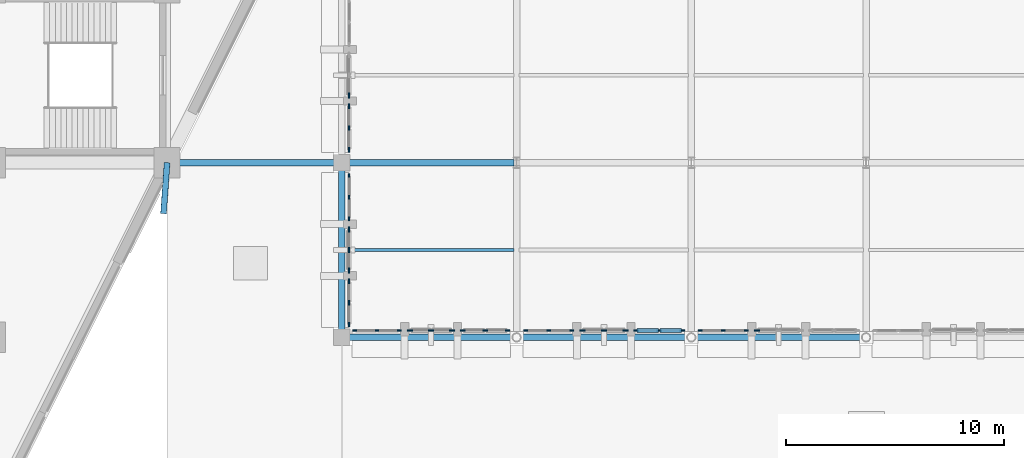
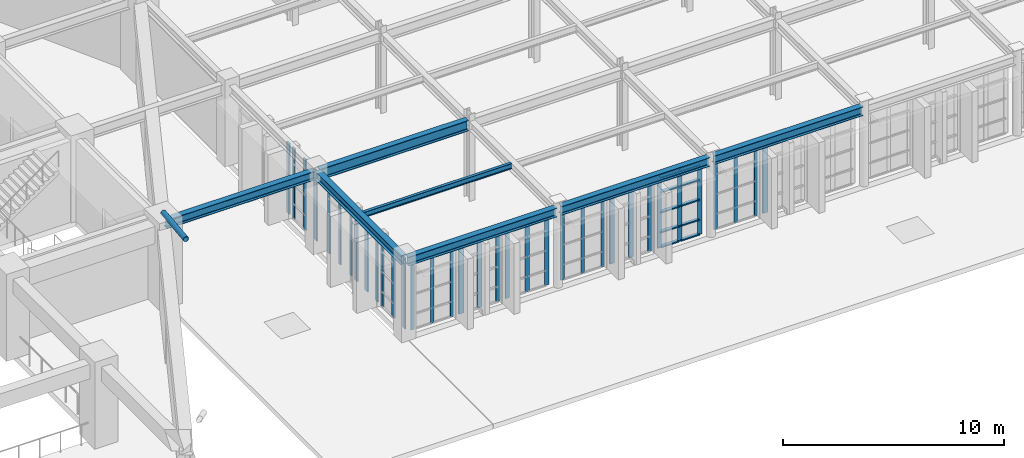
# One storey, part 34 of 155: 46 members, 7 beams, 13 elements without a shape of their own.
"""IFC4 building model written with IfcOpenShell, lengths in metres."""

from ifc_helpers import new_model, si_unit, direction, frame, origin, origin_2d, place, context, subcontext, project, spatial, rectangle, hollow_circle, i_section, extrude, material, layer, layer_set, material_profile, profile_set, type_object, element, aggregate, save


model = new_model("IFC4")

# Units and contexts
model_context = context("Model", 3, precision=1e-05, world=origin(), true_north=direction((0.0, 1.0)))
body_context = subcontext(model_context, "Body", "Model", "MODEL_VIEW")
ifc_project = project(units=[si_unit("LENGTHUNIT", "METRE"), si_unit("AREAUNIT", "SQUARE_METRE"), si_unit("VOLUMEUNIT", "CUBIC_METRE"), si_unit("PLANEANGLEUNIT", "RADIAN"), si_unit("MASSUNIT", "GRAM", prefix="KILO")], contexts=[model_context])

# Site, building, storey
site_placement = place(None, origin())
site = spatial("IfcSite", under=ifc_project, at=site_placement, CompositionType="ELEMENT")
building_placement = place(site_placement, origin())
building = spatial("IfcBuilding", under=site, at=building_placement, Name="Tazarka Park Arena", CompositionType="ELEMENT")
storey_placement = place(building_placement, frame((0.0, 0.0, 5.39990234375)))
storey = spatial("IfcBuildingStorey", under=building, at=storey_placement, Name="L01", CompositionType="ELEMENT", Elevation=5.39990234375)

# Beams
ifc_material_1 = material(Name="Steel S355", Category="steel")
ifc_material_profile_1 = material_profile(ifc_material_1, i_section(OverallWidth=0.300048828125, OverallDepth=0.590087890625, WebThickness=0.012939453125, FlangeThickness=0.02490234375, FilletRadius=0.027099609375, at=origin_2d()), Name="Steel S355")
ifc_profile_set_1 = profile_set([ifc_material_profile_1], Name="Steel S355")
beam_type_1 = type_object("IfcBeamType", Name="BM-B-07", PredefinedType="BEAM", material=ifc_profile_set_1)
beam_1_placement = place(storey_placement, frame((136.1201171875, 48.0, 4.125), z_axis=(1.0, 0.0, 0.0), x_axis=(0.0, 1.0, 0.0)))
element("IfcBeam", 1, at=beam_1_placement, inside=storey, type_object=beam_type_1, Name="GXM-L01-17-06", PredefinedType="BEAM", context=body_context, shape_type="SweptSolid", body=[
    extrude(i_section(OverallWidth=0.300048828125, OverallDepth=0.590087890625, WebThickness=0.012939453125, FlangeThickness=0.02490234375, FilletRadius=0.027099609375, at=origin_2d()), origin(), (0.0, 0.0, 1.0), 7.759765625),
])
ifc_material_2 = material(Name="Steel S355", Category="steel")
ifc_material_profile_2 = material_profile(ifc_material_2, i_section(OverallWidth=0.14990234375, OverallDepth=0.300048828125, WebThickness=0.007080078125, FlangeThickness=0.0107421875, FilletRadius=0.014892578125, at=origin_2d()), Name="Steel S355")
ifc_profile_set_2 = profile_set([ifc_material_profile_2], Name="Steel S355")
beam_type_2 = type_object("IfcBeamType", Name="BM-J-01", PredefinedType="JOIST", material=ifc_profile_set_2)
beam_2_placement = place(storey_placement, frame((136.1201171875, 44.0, 4.27001953125), z_axis=(1.0, 0.0, 0.0), x_axis=(0.0, 1.0, 0.0)))
element("IfcBeam", 2, at=beam_2_placement, inside=storey, type_object=beam_type_2, Name="JST-L01-17-05", PredefinedType="JOIST", context=body_context, shape_type="SweptSolid", body=[
    extrude(i_section(OverallWidth=0.14990234375, OverallDepth=0.300048828125, WebThickness=0.007080078125, FlangeThickness=0.0107421875, FilletRadius=0.014892578125, at=origin_2d()), origin(), (0.0, 0.0, 1.0), 7.759765625),
])
ifc_material_3 = material(Name="Steel S355", Category="steel")
ifc_material_profile_3 = material_profile(ifc_material_3, i_section(OverallWidth=0.300048828125, OverallDepth=0.489990234375, WebThickness=0.011962890625, FlangeThickness=0.02294921875, FilletRadius=0.027099609375, at=origin_2d()), Name="Steel S355")
ifc_profile_set_3 = profile_set([ifc_material_profile_3], Name="Steel S355")
beam_type_3 = type_object("IfcBeamType", Name="BM-SP-02", PredefinedType="SPANDREL", material=ifc_profile_set_3)
for number, where, z_axis, x_axis, name in (
    (3, (128.1201171875, 48.0, 4.175048828125), (1.0, 0.0, 0.0), (0.0, 1.0, 0.0), "GXM-L01-16-06"),
    (4, (136.1201171875, 40.0, 4.175048828125), (1.0, 0.0, 0.0), (0.0, 1.0, 0.0), "GXM-L01-17-05"),
    (5, (136.0, 40.1201171875, 4.175048828125), (0.0, 1.0, 0.0), (-1.0, 0.0, 0.0), "GYM-L01-17-05"),
    (6, (144.1201171875, 40.0, 4.175048828125), (1.0, 0.0, 0.0), (0.0, 1.0, 0.0), "GXM-L01-18-05"),
    (7, (152.1201171875, 40.0, 4.175048828125), (1.0, 0.0, 0.0), (0.0, 1.0, 0.0), "GXM-L01-19-05"),
):
    element("IfcBeam", number, at=place(storey_placement, frame(where, z_axis=z_axis, x_axis=x_axis)), inside=storey, type_object=beam_type_3, Name=name, PredefinedType="SPANDREL", context=body_context, shape_type="SweptSolid", body=[
        extrude(i_section(OverallWidth=0.300048828125, OverallDepth=0.489990234375, WebThickness=0.011962890625, FlangeThickness=0.02294921875, FilletRadius=0.027099609375, at=origin_2d()), origin(), (0.0, 0.0, 1.0), 7.759765625),
    ])

# Curtain wall, members
ifc_material_4 = material(Name="Aluminium and low-e glass", Category="aluminium")
ifc_layer_1 = layer(ifc_material_4, 0.179931640625, Name="Aluminium and low-e glass")
ifc_layer_set_1 = layer_set([ifc_layer_1], Name="Aluminium and low-e glass")
curtain_wall_type_1 = type_object("IfcCurtainWallType", Name="CW-15", PredefinedType="NOTDEFINED", material=ifc_layer_set_1)
curtain_wall_1_placement = place(storey_placement, origin())
curtain_wall_1 = element("IfcCurtainWall", 8, at=curtain_wall_1_placement, inside=storey, type_object=curtain_wall_type_1, Name="Curtain Wall CWA-L01-165", PredefinedType="NOTDEFINED")
ifc_material_5 = material(Name="Aluminium 6060-T66", Category="aluminium")
ifc_material_profile_4 = material_profile(ifc_material_5, rectangle(XDim=0.06494140625, YDim=0.179931640625, at=origin_2d()), Name="Aluminium 6060-T66")
ifc_profile_set_4 = profile_set([ifc_material_profile_4], Name="Aluminium 6060-T66")
member_type_1 = type_object("IfcMemberType", Name="CWM-01", PredefinedType="MULLION", material=ifc_profile_set_4)
member_1_placement = place(storey_placement, frame((136.320068359375, 45.42431640625, 0.0), z_axis=(0.0, 0.0, 1.0), x_axis=(-1.0, 0.0, 0.0)))
member_1 = element("IfcMember", 9, at=member_1_placement, type_object=member_type_1, Name="CW-15 mullion 1", PredefinedType="MULLION", context=body_context, shape_type="SweptSolid", body=[
    extrude(rectangle(XDim=0.06494140625, YDim=0.179931640625, at=origin_2d()), origin(), (0.0, 0.0, 1.0), 3.91015625),
])
member_2_placement = place(storey_placement, frame((136.320068359375, 46.41845703125, 0.0), z_axis=(0.0, 0.0, 1.0), x_axis=(-1.0, 0.0, 0.0)))
member_2 = element("IfcMember", 10, at=member_2_placement, type_object=member_type_1, Name="CW-15 mullion 2", PredefinedType="MULLION", context=body_context, shape_type="SweptSolid", body=[
    extrude(rectangle(XDim=0.06494140625, YDim=0.179931640625, at=origin_2d()), origin(), (0.0, 0.0, 1.0), 3.91015625),
])
member_3_placement = place(storey_placement, frame((136.320068359375, 47.41259765625, 0.0), z_axis=(0.0, 0.0, 1.0), x_axis=(-1.0, 0.0, 0.0)))
member_3 = element("IfcMember", 11, at=member_3_placement, type_object=member_type_1, Name="CW-15 mullion 3", PredefinedType="MULLION", context=body_context, shape_type="SweptSolid", body=[
    extrude(rectangle(XDim=0.06494140625, YDim=0.179931640625, at=origin_2d()), origin(), (0.0, 0.0, 1.0), 3.91015625),
])
aggregate(curtain_wall_1, [member_1, member_2, member_3])

ifc_material_6 = material(Name="Aluminium and low-e glass", Category="aluminium")
ifc_layer_2 = layer(ifc_material_6, 0.179931640625, Name="Aluminium and low-e glass")
ifc_layer_set_2 = layer_set([ifc_layer_2], Name="Aluminium and low-e glass")
curtain_wall_type_2 = type_object("IfcCurtainWallType", Name="CW-18", PredefinedType="NOTDEFINED", material=ifc_layer_set_2)
curtain_wall_2_placement = place(storey_placement, origin())
curtain_wall_2 = element("IfcCurtainWall", 12, at=curtain_wall_2_placement, inside=storey, type_object=curtain_wall_type_2, Name="Curtain Wall CWA-L01-168", PredefinedType="NOTDEFINED")
member_4_placement = place(storey_placement, frame((138.633056640625, 40.320068359375, 0.0), z_axis=(0.0, 0.0, 1.0), x_axis=(0.0, -1.0, 0.0)))
member_4 = element("IfcMember", 13, at=member_4_placement, type_object=member_type_1, Name="CW-18 mullion 1", PredefinedType="MULLION", context=body_context, shape_type="SweptSolid", body=[
    extrude(rectangle(XDim=0.06494140625, YDim=0.179931640625, at=origin_2d()), origin(), (0.0, 0.0, 1.0), 3.91015625),
])
member_5_placement = place(storey_placement, frame((137.6103515625, 40.320068359375, 0.0), z_axis=(0.0, 0.0, 1.0), x_axis=(0.0, -1.0, 0.0)))
member_5 = element("IfcMember", 14, at=member_5_placement, type_object=member_type_1, Name="CW-18 mullion 2", PredefinedType="MULLION", context=body_context, shape_type="SweptSolid", body=[
    extrude(rectangle(XDim=0.06494140625, YDim=0.179931640625, at=origin_2d()), origin(), (0.0, 0.0, 1.0), 3.91015625),
])
member_6_placement = place(storey_placement, frame((136.58740234375, 40.320068359375, 0.0), z_axis=(0.0, 0.0, 1.0), x_axis=(0.0, -1.0, 0.0)))
member_6 = element("IfcMember", 15, at=member_6_placement, type_object=member_type_1, Name="CW-18 mullion 3", PredefinedType="MULLION", context=body_context, shape_type="SweptSolid", body=[
    extrude(rectangle(XDim=0.06494140625, YDim=0.179931640625, at=origin_2d()), origin(), (0.0, 0.0, 1.0), 3.91015625),
])
aggregate(curtain_wall_2, [member_4, member_5, member_6])

ifc_material_7 = material(Name="Aluminium and low-e glass", Category="aluminium")
ifc_layer_3 = layer(ifc_material_7, 0.179931640625, Name="Aluminium and low-e glass")
ifc_layer_set_3 = layer_set([ifc_layer_3], Name="Aluminium and low-e glass")
curtain_wall_type_3 = type_object("IfcCurtainWallType", Name="CW-21", PredefinedType="NOTDEFINED", material=ifc_layer_set_3)
curtain_wall_3_placement = place(storey_placement, origin())
curtain_wall_3 = element("IfcCurtainWall", 16, at=curtain_wall_3_placement, inside=storey, type_object=curtain_wall_type_3, Name="Curtain Wall CWA-L01-171", PredefinedType="NOTDEFINED")
member_7_placement = place(storey_placement, frame((146.5185546875, 40.320068359375, 0.0), z_axis=(0.0, 0.0, 1.0), x_axis=(0.0, -1.0, 0.0)))
member_7 = element("IfcMember", 17, at=member_7_placement, type_object=member_type_1, Name="CW-21 mullion 1", PredefinedType="MULLION", context=body_context, shape_type="SweptSolid", body=[
    extrude(rectangle(XDim=0.06494140625, YDim=0.179931640625, at=origin_2d()), origin(), (0.0, 0.0, 1.0), 3.91015625),
])
member_8_placement = place(storey_placement, frame((145.467041015625, 40.320068359375, 0.0), z_axis=(0.0, 0.0, 1.0), x_axis=(0.0, -1.0, 0.0)))
member_8 = element("IfcMember", 18, at=member_8_placement, type_object=member_type_1, Name="CW-21 mullion 2", PredefinedType="MULLION", context=body_context, shape_type="SweptSolid", body=[
    extrude(rectangle(XDim=0.06494140625, YDim=0.179931640625, at=origin_2d()), origin(), (0.0, 0.0, 1.0), 3.91015625),
])
member_9_placement = place(storey_placement, frame((144.415771484375, 40.320068359375, 0.0), z_axis=(0.0, 0.0, 1.0), x_axis=(0.0, -1.0, 0.0)))
member_9 = element("IfcMember", 19, at=member_9_placement, type_object=member_type_1, Name="CW-21 mullion 3", PredefinedType="MULLION", context=body_context, shape_type="SweptSolid", body=[
    extrude(rectangle(XDim=0.06494140625, YDim=0.179931640625, at=origin_2d()), origin(), (0.0, 0.0, 1.0), 3.91015625),
])
aggregate(curtain_wall_3, [member_7, member_8, member_9])

ifc_material_8 = material(Name="Aluminium and low-e glass", Category="aluminium")
ifc_layer_4 = layer(ifc_material_8, 0.179931640625, Name="Aluminium and low-e glass")
ifc_layer_set_4 = layer_set([ifc_layer_4], Name="Aluminium and low-e glass")
curtain_wall_type_4 = type_object("IfcCurtainWallType", Name="CW-24", PredefinedType="NOTDEFINED", material=ifc_layer_set_4)
curtain_wall_4_placement = place(storey_placement, origin())
curtain_wall_4 = element("IfcCurtainWall", 20, at=curtain_wall_4_placement, inside=storey, type_object=curtain_wall_type_4, Name="Curtain Wall CWA-L01-174", PredefinedType="NOTDEFINED")
member_10_placement = place(storey_placement, frame((154.5185546875, 40.320068359375, 0.0), z_axis=(0.0, 0.0, 1.0), x_axis=(0.0, -1.0, 0.0)))
member_10 = element("IfcMember", 21, at=member_10_placement, type_object=member_type_1, Name="CW-24 mullion 1", PredefinedType="MULLION", context=body_context, shape_type="SweptSolid", body=[
    extrude(rectangle(XDim=0.06494140625, YDim=0.179931640625, at=origin_2d()), origin(), (0.0, 0.0, 1.0), 3.91015625),
])
member_11_placement = place(storey_placement, frame((153.467041015625, 40.320068359375, 0.0), z_axis=(0.0, 0.0, 1.0), x_axis=(0.0, -1.0, 0.0)))
member_11 = element("IfcMember", 22, at=member_11_placement, type_object=member_type_1, Name="CW-24 mullion 2", PredefinedType="MULLION", context=body_context, shape_type="SweptSolid", body=[
    extrude(rectangle(XDim=0.06494140625, YDim=0.179931640625, at=origin_2d()), origin(), (0.0, 0.0, 1.0), 3.91015625),
])
member_12_placement = place(storey_placement, frame((152.415771484375, 40.320068359375, 0.0), z_axis=(0.0, 0.0, 1.0), x_axis=(0.0, -1.0, 0.0)))
member_12 = element("IfcMember", 23, at=member_12_placement, type_object=member_type_1, Name="CW-24 mullion 3", PredefinedType="MULLION", context=body_context, shape_type="SweptSolid", body=[
    extrude(rectangle(XDim=0.06494140625, YDim=0.179931640625, at=origin_2d()), origin(), (0.0, 0.0, 1.0), 3.91015625),
])
aggregate(curtain_wall_4, [member_10, member_11, member_12])

ifc_material_9 = material(Name="Aluminium and low-e glass", Category="aluminium")
ifc_layer_5 = layer(ifc_material_9, 0.179931640625, Name="Aluminium and low-e glass")
ifc_layer_set_5 = layer_set([ifc_layer_5], Name="Aluminium and low-e glass")
curtain_wall_type_5 = type_object("IfcCurtainWallType", Name="CW-10", PredefinedType="NOTDEFINED", material=ifc_layer_set_5)
curtain_wall_5_placement = place(storey_placement, origin())
curtain_wall_5 = element("IfcCurtainWall", 24, at=curtain_wall_5_placement, inside=storey, type_object=curtain_wall_type_5, Name="Curtain Wall CWA-L01-160", PredefinedType="NOTDEFINED")
ifc_material_10 = material(Name="Aluminium 6060-T66", Category="aluminium")
ifc_material_profile_5 = material_profile(ifc_material_10, rectangle(XDim=0.06494140625, YDim=0.219970703125, at=origin_2d()), Name="Aluminium 6060-T66")
ifc_profile_set_5 = profile_set([ifc_material_profile_5], Name="Aluminium 6060-T66")
member_type_2 = type_object("IfcMemberType", Name="CWM-02", PredefinedType="MULLION", material=ifc_profile_set_5)
member_13_placement = place(storey_placement, frame((136.320068359375, 48.58740234375, 0.0), z_axis=(0.0, 0.0, 1.0), x_axis=(-1.0, 0.0, 0.0)))
member_13 = element("IfcMember", 25, at=member_13_placement, type_object=member_type_2, Name="CW-10 mullion 1", PredefinedType="MULLION", context=body_context, shape_type="SweptSolid", body=[
    extrude(rectangle(XDim=0.06494140625, YDim=0.219970703125, at=origin_2d()), origin(), (0.0, 0.0, 1.0), 3.900146484375),
])
member_14_placement = place(storey_placement, frame((136.320068359375, 49.58154296875, 0.0), z_axis=(0.0, 0.0, 1.0), x_axis=(-1.0, 0.0, 0.0)))
member_14 = element("IfcMember", 26, at=member_14_placement, type_object=member_type_2, Name="CW-10 mullion 2", PredefinedType="MULLION", context=body_context, shape_type="SweptSolid", body=[
    extrude(rectangle(XDim=0.06494140625, YDim=0.219970703125, at=origin_2d()), origin(), (0.0, 0.0, 1.0), 3.900146484375),
])
member_15_placement = place(storey_placement, frame((136.320068359375, 50.57568359375, 0.0), z_axis=(0.0, 0.0, 1.0), x_axis=(-1.0, 0.0, 0.0)))
member_15 = element("IfcMember", 27, at=member_15_placement, type_object=member_type_2, Name="CW-10 mullion 3", PredefinedType="MULLION", context=body_context, shape_type="SweptSolid", body=[
    extrude(rectangle(XDim=0.06494140625, YDim=0.219970703125, at=origin_2d()), origin(), (0.0, 0.0, 1.0), 3.900146484375),
])
aggregate(curtain_wall_5, [member_13, member_14, member_15])

ifc_material_11 = material(Name="Aluminium and low-e glass", Category="aluminium")
ifc_layer_6 = layer(ifc_material_11, 0.179931640625, Name="Aluminium and low-e glass")
ifc_layer_set_6 = layer_set([ifc_layer_6], Name="Aluminium and low-e glass")
curtain_wall_type_6 = type_object("IfcCurtainWallType", Name="CW-13", PredefinedType="NOTDEFINED", material=ifc_layer_set_6)
curtain_wall_6_placement = place(storey_placement, origin())
curtain_wall_6 = element("IfcCurtainWall", 28, at=curtain_wall_6_placement, inside=storey, type_object=curtain_wall_type_6, Name="Curtain Wall CWA-L01-163", PredefinedType="NOTDEFINED")
member_16_placement = place(storey_placement, frame((136.320068359375, 40.58740234375, 0.0), z_axis=(0.0, 0.0, 1.0), x_axis=(-1.0, 0.0, 0.0)))
member_16 = element("IfcMember", 29, at=member_16_placement, type_object=member_type_2, Name="CW-13 mullion 1", PredefinedType="MULLION", context=body_context, shape_type="SweptSolid", body=[
    extrude(rectangle(XDim=0.06494140625, YDim=0.219970703125, at=origin_2d()), origin(), (0.0, 0.0, 1.0), 3.91015625),
])
member_17_placement = place(storey_placement, frame((136.320068359375, 41.58154296875, 0.0), z_axis=(0.0, 0.0, 1.0), x_axis=(-1.0, 0.0, 0.0)))
member_17 = element("IfcMember", 30, at=member_17_placement, type_object=member_type_2, Name="CW-13 mullion 2", PredefinedType="MULLION", context=body_context, shape_type="SweptSolid", body=[
    extrude(rectangle(XDim=0.06494140625, YDim=0.219970703125, at=origin_2d()), origin(), (0.0, 0.0, 1.0), 3.91015625),
])
member_18_placement = place(storey_placement, frame((136.320068359375, 42.57568359375, 0.0), z_axis=(0.0, 0.0, 1.0), x_axis=(-1.0, 0.0, 0.0)))
member_18 = element("IfcMember", 31, at=member_18_placement, type_object=member_type_2, Name="CW-13 mullion 3", PredefinedType="MULLION", context=body_context, shape_type="SweptSolid", body=[
    extrude(rectangle(XDim=0.06494140625, YDim=0.219970703125, at=origin_2d()), origin(), (0.0, 0.0, 1.0), 3.91015625),
])
aggregate(curtain_wall_6, [member_16, member_17, member_18])

ifc_material_12 = material(Name="Aluminium and low-e glass", Category="aluminium")
ifc_layer_7 = layer(ifc_material_12, 0.179931640625, Name="Aluminium and low-e glass")
ifc_layer_set_7 = layer_set([ifc_layer_7], Name="Aluminium and low-e glass")
curtain_wall_type_7 = type_object("IfcCurtainWallType", Name="CW-16", PredefinedType="NOTDEFINED", material=ifc_layer_set_7)
curtain_wall_7_placement = place(storey_placement, origin())
curtain_wall_7 = element("IfcCurtainWall", 32, at=curtain_wall_7_placement, inside=storey, type_object=curtain_wall_type_7, Name="Curtain Wall CWA-L01-166", PredefinedType="NOTDEFINED")
member_19_placement = place(storey_placement, frame((143.584228515625, 40.320068359375, 0.0), z_axis=(0.0, 0.0, 1.0), x_axis=(0.0, -1.0, 0.0)))
member_19 = element("IfcMember", 33, at=member_19_placement, type_object=member_type_2, Name="CW-16 mullion 1", PredefinedType="MULLION", context=body_context, shape_type="SweptSolid", body=[
    extrude(rectangle(XDim=0.06494140625, YDim=0.219970703125, at=origin_2d()), origin(), (0.0, 0.0, 1.0), 3.91015625),
])
member_20_placement = place(storey_placement, frame((142.5615234375, 40.320068359375, 0.0), z_axis=(0.0, 0.0, 1.0), x_axis=(0.0, -1.0, 0.0)))
member_20 = element("IfcMember", 34, at=member_20_placement, type_object=member_type_2, Name="CW-16 mullion 2", PredefinedType="MULLION", context=body_context, shape_type="SweptSolid", body=[
    extrude(rectangle(XDim=0.06494140625, YDim=0.219970703125, at=origin_2d()), origin(), (0.0, 0.0, 1.0), 3.91015625),
])
member_21_placement = place(storey_placement, frame((141.538818359375, 40.320068359375, 0.0), z_axis=(0.0, 0.0, 1.0), x_axis=(0.0, -1.0, 0.0)))
member_21 = element("IfcMember", 35, at=member_21_placement, type_object=member_type_2, Name="CW-16 mullion 3", PredefinedType="MULLION", context=body_context, shape_type="SweptSolid", body=[
    extrude(rectangle(XDim=0.06494140625, YDim=0.219970703125, at=origin_2d()), origin(), (0.0, 0.0, 1.0), 3.91015625),
])
aggregate(curtain_wall_7, [member_19, member_20, member_21])

ifc_material_13 = material(Name="Aluminium and low-e glass", Category="aluminium")
ifc_layer_8 = layer(ifc_material_13, 0.179931640625, Name="Aluminium and low-e glass")
ifc_layer_set_8 = layer_set([ifc_layer_8], Name="Aluminium and low-e glass")
curtain_wall_type_8 = type_object("IfcCurtainWallType", Name="CW-19", PredefinedType="NOTDEFINED", material=ifc_layer_set_8)
curtain_wall_8_placement = place(storey_placement, origin())
curtain_wall_8 = element("IfcCurtainWall", 36, at=curtain_wall_8_placement, inside=storey, type_object=curtain_wall_type_8, Name="Curtain Wall CWA-L01-169", PredefinedType="NOTDEFINED")
member_22_placement = place(storey_placement, frame((151.584228515625, 40.320068359375, 0.0), z_axis=(0.0, 0.0, 1.0), x_axis=(0.0, -1.0, 0.0)))
member_22 = element("IfcMember", 37, at=member_22_placement, type_object=member_type_2, Name="CW-19 mullion 1", PredefinedType="MULLION", context=body_context, shape_type="SweptSolid", body=[
    extrude(rectangle(XDim=0.06494140625, YDim=0.219970703125, at=origin_2d()), origin(), (0.0, 0.0, 1.0), 3.91015625),
])
member_23_placement = place(storey_placement, frame((150.532958984375, 40.320068359375, 0.0), z_axis=(0.0, 0.0, 1.0), x_axis=(0.0, -1.0, 0.0)))
member_23 = element("IfcMember", 38, at=member_23_placement, type_object=member_type_2, Name="CW-19 mullion 2", PredefinedType="MULLION", context=body_context, shape_type="SweptSolid", body=[
    extrude(rectangle(XDim=0.06494140625, YDim=0.219970703125, at=origin_2d()), origin(), (0.0, 0.0, 1.0), 3.91015625),
])
member_24_placement = place(storey_placement, frame((149.4814453125, 40.320068359375, 0.0), z_axis=(0.0, 0.0, 1.0), x_axis=(0.0, -1.0, 0.0)))
member_24 = element("IfcMember", 39, at=member_24_placement, type_object=member_type_2, Name="CW-19 mullion 3", PredefinedType="MULLION", context=body_context, shape_type="SweptSolid", body=[
    extrude(rectangle(XDim=0.06494140625, YDim=0.219970703125, at=origin_2d()), origin(), (0.0, 0.0, 1.0), 3.91015625),
])

# Curtain wall, member
ifc_material_14 = material(Name="Aluminium and low-e glass", Category="aluminium")
ifc_layer_9 = layer(ifc_material_14, 0.179931640625, Name="Aluminium and low-e glass")
ifc_layer_set_9 = layer_set([ifc_layer_9], Name="Aluminium and low-e glass")
curtain_wall_type_9 = type_object("IfcCurtainWallType", Name="CW-11", PredefinedType="NOTDEFINED", material=ifc_layer_set_9)
curtain_wall_9_placement = place(storey_placement, origin())
curtain_wall_9 = element("IfcCurtainWall", 40, at=curtain_wall_9_placement, inside=storey, type_object=curtain_wall_type_9, Name="Curtain Wall CWA-L01-161", PredefinedType="NOTDEFINED")
ifc_material_15 = material(Name="Aluminium 6060-T66", Category="aluminium")
ifc_material_profile_6 = material_profile(ifc_material_15, rectangle(XDim=0.074951171875, YDim=0.25, at=origin_2d()), Name="Aluminium 6060-T66")
ifc_profile_set_6 = profile_set([ifc_material_profile_6], Name="Aluminium 6060-T66")
member_type_3 = type_object("IfcMemberType", Name="CWM-03", PredefinedType="MULLION", material=ifc_profile_set_6)
member_25_placement = place(storey_placement, frame((136.320068359375, 51.06591796875, 0.0), z_axis=(0.0, 0.0, 1.0), x_axis=(-1.0, 0.0, 0.0)))
member_25 = element("IfcMember", 41, at=member_25_placement, type_object=member_type_3, Name="CW-11 mullion 1", PredefinedType="MULLION", context=body_context, shape_type="SweptSolid", body=[
    extrude(rectangle(XDim=0.074951171875, YDim=0.25, at=origin_2d()), origin(), (0.0, 0.0, 1.0), 3.900146484375),
])
aggregate(curtain_wall_9, [member_25])

# Curtain wall, members
ifc_material_16 = material(Name="Aluminium and low-e glass", Category="aluminium")
ifc_layer_10 = layer(ifc_material_16, 0.179931640625, Name="Aluminium and low-e glass")
ifc_layer_set_10 = layer_set([ifc_layer_10], Name="Aluminium and low-e glass")
curtain_wall_type_10 = type_object("IfcCurtainWallType", Name="CW-14", PredefinedType="NOTDEFINED", material=ifc_layer_set_10)
curtain_wall_10_placement = place(storey_placement, origin())
curtain_wall_10 = element("IfcCurtainWall", 42, at=curtain_wall_10_placement, inside=storey, type_object=curtain_wall_type_10, Name="Curtain Wall CWA-L01-164", PredefinedType="NOTDEFINED")
member_26_placement = place(storey_placement, frame((136.320068359375, 43.06591796875, 0.0), z_axis=(0.0, 0.0, 1.0), x_axis=(-1.0, 0.0, 0.0)))
member_26 = element("IfcMember", 43, at=member_26_placement, type_object=member_type_3, Name="CW-14 mullion 1", PredefinedType="MULLION", context=body_context, shape_type="SweptSolid", body=[
    extrude(rectangle(XDim=0.074951171875, YDim=0.25, at=origin_2d()), origin(), (0.0, 0.0, 1.0), 3.91015625),
])
member_27_placement = place(storey_placement, frame((136.320068359375, 44.0, 0.0), z_axis=(0.0, 0.0, 1.0), x_axis=(-1.0, 0.0, 0.0)))
member_27 = element("IfcMember", 44, at=member_27_placement, type_object=member_type_3, Name="CW-14 mullion 2", PredefinedType="MULLION", context=body_context, shape_type="SweptSolid", body=[
    extrude(rectangle(XDim=0.074951171875, YDim=0.25, at=origin_2d()), origin(), (0.0, 0.0, 1.0), 3.91015625),
])
member_28_placement = place(storey_placement, frame((136.320068359375, 44.93408203125, 0.0), z_axis=(0.0, 0.0, 1.0), x_axis=(-1.0, 0.0, 0.0)))
member_28 = element("IfcMember", 45, at=member_28_placement, type_object=member_type_3, Name="CW-14 mullion 3", PredefinedType="MULLION", context=body_context, shape_type="SweptSolid", body=[
    extrude(rectangle(XDim=0.074951171875, YDim=0.25, at=origin_2d()), origin(), (0.0, 0.0, 1.0), 3.91015625),
])
aggregate(curtain_wall_10, [member_26, member_27, member_28])

ifc_material_17 = material(Name="Aluminium and low-e glass", Category="aluminium")
ifc_layer_11 = layer(ifc_material_17, 0.179931640625, Name="Aluminium and low-e glass")
ifc_layer_set_11 = layer_set([ifc_layer_11], Name="Aluminium and low-e glass")
curtain_wall_type_11 = type_object("IfcCurtainWallType", Name="CW-17", PredefinedType="NOTDEFINED", material=ifc_layer_set_11)
curtain_wall_11_placement = place(storey_placement, origin())
curtain_wall_11 = element("IfcCurtainWall", 46, at=curtain_wall_11_placement, inside=storey, type_object=curtain_wall_type_11, Name="Curtain Wall CWA-L01-167", PredefinedType="NOTDEFINED")
member_29_placement = place(storey_placement, frame((141.048583984375, 40.320068359375, 0.0), z_axis=(0.0, 0.0, 1.0), x_axis=(0.0, -1.0, 0.0)))
member_29 = element("IfcMember", 47, at=member_29_placement, type_object=member_type_3, Name="CW-17 mullion 1", PredefinedType="MULLION", context=body_context, shape_type="SweptSolid", body=[
    extrude(rectangle(XDim=0.074951171875, YDim=0.25, at=origin_2d()), origin(), (0.0, 0.0, 1.0), 3.91015625),
])
member_30_placement = place(storey_placement, frame((140.0859375, 40.320068359375, 0.0), z_axis=(0.0, 0.0, 1.0), x_axis=(0.0, -1.0, 0.0)))
member_30 = element("IfcMember", 48, at=member_30_placement, type_object=member_type_3, Name="CW-17 mullion 2", PredefinedType="MULLION", context=body_context, shape_type="SweptSolid", body=[
    extrude(rectangle(XDim=0.074951171875, YDim=0.25, at=origin_2d()), origin(), (0.0, 0.0, 1.0), 3.91015625),
])
member_31_placement = place(storey_placement, frame((139.123046875, 40.320068359375, 0.0), z_axis=(0.0, 0.0, 1.0), x_axis=(0.0, -1.0, 0.0)))
member_31 = element("IfcMember", 49, at=member_31_placement, type_object=member_type_3, Name="CW-17 mullion 3", PredefinedType="MULLION", context=body_context, shape_type="SweptSolid", body=[
    extrude(rectangle(XDim=0.074951171875, YDim=0.25, at=origin_2d()), origin(), (0.0, 0.0, 1.0), 3.91015625),
])
aggregate(curtain_wall_11, [member_29, member_30, member_31])

ifc_material_18 = material(Name="Aluminium and low-e glass", Category="aluminium")
ifc_layer_12 = layer(ifc_material_18, 0.179931640625, Name="Aluminium and low-e glass")
ifc_layer_set_12 = layer_set([ifc_layer_12], Name="Aluminium and low-e glass")
curtain_wall_type_12 = type_object("IfcCurtainWallType", Name="CW-20", PredefinedType="NOTDEFINED", material=ifc_layer_set_12)
curtain_wall_12_placement = place(storey_placement, origin())
curtain_wall_12 = element("IfcCurtainWall", 50, at=curtain_wall_12_placement, inside=storey, type_object=curtain_wall_type_12, Name="Curtain Wall CWA-L01-170", PredefinedType="NOTDEFINED")
member_32_placement = place(storey_placement, frame((148.991455078125, 40.320068359375, 0.0), z_axis=(0.0, 0.0, 1.0), x_axis=(0.0, -1.0, 0.0)))
member_32 = element("IfcMember", 51, at=member_32_placement, type_object=member_type_3, Name="CW-20 mullion 1", PredefinedType="MULLION", context=body_context, shape_type="SweptSolid", body=[
    extrude(rectangle(XDim=0.074951171875, YDim=0.25, at=origin_2d()), origin(), (0.0, 0.0, 1.0), 3.91015625),
])
member_33_placement = place(storey_placement, frame((148.0, 40.320068359375, 0.0), z_axis=(0.0, 0.0, 1.0), x_axis=(0.0, -1.0, 0.0)))
member_33 = element("IfcMember", 52, at=member_33_placement, type_object=member_type_3, Name="CW-20 mullion 2", PredefinedType="MULLION", context=body_context, shape_type="SweptSolid", body=[
    extrude(rectangle(XDim=0.074951171875, YDim=0.25, at=origin_2d()), origin(), (0.0, 0.0, 1.0), 3.91015625),
])
member_34_placement = place(storey_placement, frame((147.008544921875, 40.320068359375, 0.0), z_axis=(0.0, 0.0, 1.0), x_axis=(0.0, -1.0, 0.0)))
member_34 = element("IfcMember", 53, at=member_34_placement, type_object=member_type_3, Name="CW-20 mullion 3", PredefinedType="MULLION", context=body_context, shape_type="SweptSolid", body=[
    extrude(rectangle(XDim=0.074951171875, YDim=0.25, at=origin_2d()), origin(), (0.0, 0.0, 1.0), 3.91015625),
])
aggregate(curtain_wall_12, [member_32, member_33, member_34])

# Curtain wall, member
ifc_material_19 = material(Name="Aluminium and low-e glass", Category="aluminium")
ifc_layer_13 = layer(ifc_material_19, 0.179931640625, Name="Aluminium and low-e glass")
ifc_layer_set_13 = layer_set([ifc_layer_13], Name="Aluminium and low-e glass")
curtain_wall_type_13 = type_object("IfcCurtainWallType", Name="CW-23", PredefinedType="NOTDEFINED", material=ifc_layer_set_13)
curtain_wall_13_placement = place(storey_placement, origin())
curtain_wall_13 = element("IfcCurtainWall", 54, at=curtain_wall_13_placement, inside=storey, type_object=curtain_wall_type_13, Name="Curtain Wall CWA-L01-173", PredefinedType="NOTDEFINED")
member_35_placement = place(storey_placement, frame((155.008544921875, 40.320068359375, 0.0), z_axis=(0.0, 0.0, 1.0), x_axis=(0.0, -1.0, 0.0)))
member_35 = element("IfcMember", 55, at=member_35_placement, type_object=member_type_3, Name="CW-23 mullion 3", PredefinedType="MULLION", context=body_context, shape_type="SweptSolid", body=[
    extrude(rectangle(XDim=0.074951171875, YDim=0.25, at=origin_2d()), origin(), (0.0, 0.0, 1.0), 3.91015625),
])
aggregate(curtain_wall_13, [member_35])

# Member
ifc_material_20 = material(Name="Aluminium 6060-T66", Category="aluminium")
ifc_material_profile_7 = material_profile(ifc_material_20, rectangle(XDim=0.179931640625, YDim=0.06494140625, at=origin_2d()), Name="Aluminium 6060-T66")
ifc_profile_set_7 = profile_set([ifc_material_profile_7], Name="Aluminium 6060-T66")
member_type_4 = type_object("IfcMemberType", Name="CWT-02", PredefinedType="USERDEFINED", material=ifc_profile_set_7)
member_36_placement = place(storey_placement, frame((151.5517578125, 40.320068359375, 0.03271484375), z_axis=(-1.0, 0.0, 0.0), x_axis=(0.0, -1.0, 0.0)))
member_36 = element("IfcMember", 56, at=member_36_placement, type_object=member_type_4, Name="CW-19 transom 1.1", ObjectType="TRANSOM", PredefinedType="USERDEFINED", context=body_context, shape_type="SweptSolid", body=[
    extrude(rectangle(XDim=0.179931640625, YDim=0.06494140625, at=origin_2d()), origin(), (0.0, 0.0, 1.0), 0.986328125),
])

member_37_placement = place(storey_placement, frame((151.5517578125, 40.320068359375, 0.85009765625), z_axis=(-1.0, 0.0, 0.0), x_axis=(0.0, -1.0, 0.0)))
member_37 = element("IfcMember", 57, at=member_37_placement, type_object=member_type_4, Name="CW-19 transom 1.2", ObjectType="TRANSOM", PredefinedType="USERDEFINED", context=body_context, shape_type="SweptSolid", body=[
    extrude(rectangle(XDim=0.179931640625, YDim=0.06494140625, at=origin_2d()), origin(), (0.0, 0.0, 1.0), 0.986328125),
])

member_38_placement = place(storey_placement, frame((151.5517578125, 40.320068359375, 1.9501953125), z_axis=(-1.0, 0.0, 0.0), x_axis=(0.0, -1.0, 0.0)))
member_38 = element("IfcMember", 58, at=member_38_placement, type_object=member_type_4, Name="CW-19 transom 1.3", ObjectType="TRANSOM", PredefinedType="USERDEFINED", context=body_context, shape_type="SweptSolid", body=[
    extrude(rectangle(XDim=0.179931640625, YDim=0.06494140625, at=origin_2d()), origin(), (0.0, 0.0, 1.0), 0.986328125),
])

member_39_placement = place(storey_placement, frame((151.5517578125, 40.320068359375, 3.050048828125), z_axis=(-1.0, 0.0, 0.0), x_axis=(0.0, -1.0, 0.0)))
member_39 = element("IfcMember", 59, at=member_39_placement, type_object=member_type_4, Name="CW-19 transom 1.4", ObjectType="TRANSOM", PredefinedType="USERDEFINED", context=body_context, shape_type="SweptSolid", body=[
    extrude(rectangle(XDim=0.179931640625, YDim=0.06494140625, at=origin_2d()), origin(), (0.0, 0.0, 1.0), 0.986328125),
])

member_40_placement = place(storey_placement, frame((151.5517578125, 40.320068359375, 3.877685546875), z_axis=(-1.0, 0.0, 0.0), x_axis=(0.0, -1.0, 0.0)))
member_40 = element("IfcMember", 60, at=member_40_placement, type_object=member_type_4, Name="CW-19 transom 1.5", ObjectType="TRANSOM", PredefinedType="USERDEFINED", context=body_context, shape_type="SweptSolid", body=[
    extrude(rectangle(XDim=0.179931640625, YDim=0.06494140625, at=origin_2d()), origin(), (0.0, 0.0, 1.0), 0.986328125),
])

member_41_placement = place(storey_placement, frame((150.500244140625, 40.320068359375, 0.03271484375), z_axis=(-1.0, 0.0, 0.0), x_axis=(0.0, -1.0, 0.0)))
member_41 = element("IfcMember", 61, at=member_41_placement, type_object=member_type_4, Name="CW-19 transom 2.1", ObjectType="TRANSOM", PredefinedType="USERDEFINED", context=body_context, shape_type="SweptSolid", body=[
    extrude(rectangle(XDim=0.179931640625, YDim=0.06494140625, at=origin_2d()), origin(), (0.0, 0.0, 1.0), 0.986328125),
])

member_42_placement = place(storey_placement, frame((150.500244140625, 40.320068359375, 0.85009765625), z_axis=(-1.0, 0.0, 0.0), x_axis=(0.0, -1.0, 0.0)))
member_42 = element("IfcMember", 62, at=member_42_placement, type_object=member_type_4, Name="CW-19 transom 2.2", ObjectType="TRANSOM", PredefinedType="USERDEFINED", context=body_context, shape_type="SweptSolid", body=[
    extrude(rectangle(XDim=0.179931640625, YDim=0.06494140625, at=origin_2d()), origin(), (0.0, 0.0, 1.0), 0.986328125),
])

member_43_placement = place(storey_placement, frame((150.500244140625, 40.320068359375, 1.9501953125), z_axis=(-1.0, 0.0, 0.0), x_axis=(0.0, -1.0, 0.0)))
member_43 = element("IfcMember", 63, at=member_43_placement, type_object=member_type_4, Name="CW-19 transom 2.3", ObjectType="TRANSOM", PredefinedType="USERDEFINED", context=body_context, shape_type="SweptSolid", body=[
    extrude(rectangle(XDim=0.179931640625, YDim=0.06494140625, at=origin_2d()), origin(), (0.0, 0.0, 1.0), 0.986328125),
])

member_44_placement = place(storey_placement, frame((150.500244140625, 40.320068359375, 3.050048828125), z_axis=(-1.0, 0.0, 0.0), x_axis=(0.0, -1.0, 0.0)))
member_44 = element("IfcMember", 64, at=member_44_placement, type_object=member_type_4, Name="CW-19 transom 2.4", ObjectType="TRANSOM", PredefinedType="USERDEFINED", context=body_context, shape_type="SweptSolid", body=[
    extrude(rectangle(XDim=0.179931640625, YDim=0.06494140625, at=origin_2d()), origin(), (0.0, 0.0, 1.0), 0.986328125),
])

member_45_placement = place(storey_placement, frame((150.500244140625, 40.320068359375, 3.877685546875), z_axis=(-1.0, 0.0, 0.0), x_axis=(0.0, -1.0, 0.0)))
member_45 = element("IfcMember", 65, at=member_45_placement, type_object=member_type_4, Name="CW-19 transom 2.5", ObjectType="TRANSOM", PredefinedType="USERDEFINED", context=body_context, shape_type="SweptSolid", body=[
    extrude(rectangle(XDim=0.179931640625, YDim=0.06494140625, at=origin_2d()), origin(), (0.0, 0.0, 1.0), 0.986328125),
])

aggregate(curtain_wall_8, [member_22, member_23, member_24, member_36, member_37, member_38, member_39, member_40, member_41, member_42, member_43, member_44, member_45])

ifc_material_21 = material(Name="Steel S355", Category="steel")
ifc_material_profile_8 = material_profile(ifc_material_21, hollow_circle(Radius=0.136474609375, WallThickness=0.012451171875, at=origin_2d()), Name="Steel S355")
ifc_profile_set_8 = profile_set([ifc_material_profile_8], Name="Steel S355")
member_type_5 = type_object("IfcMemberType", Name="MEM-SR-01", PredefinedType="STRUT", material=ifc_profile_set_8)
member_46_placement = place(storey_placement, frame((128.0, 48.0, 4.800048828125), z_axis=(-0.069395698306, -0.99758921258, 0.0), x_axis=(0.99758921258, -0.069395698306, 0.0)))
element("IfcMember", 66, at=member_46_placement, inside=storey, type_object=member_type_5, Name="FSB-08", PredefinedType="STRUT", context=body_context, shape_type="SweptSolid", body=[
    extrude(hollow_circle(Radius=0.136474609375, WallThickness=0.012451171875, at=origin_2d()), origin(), (0.0, 0.0, 1.0), 2.343017578125),
])

save(model, "model.ifc")
